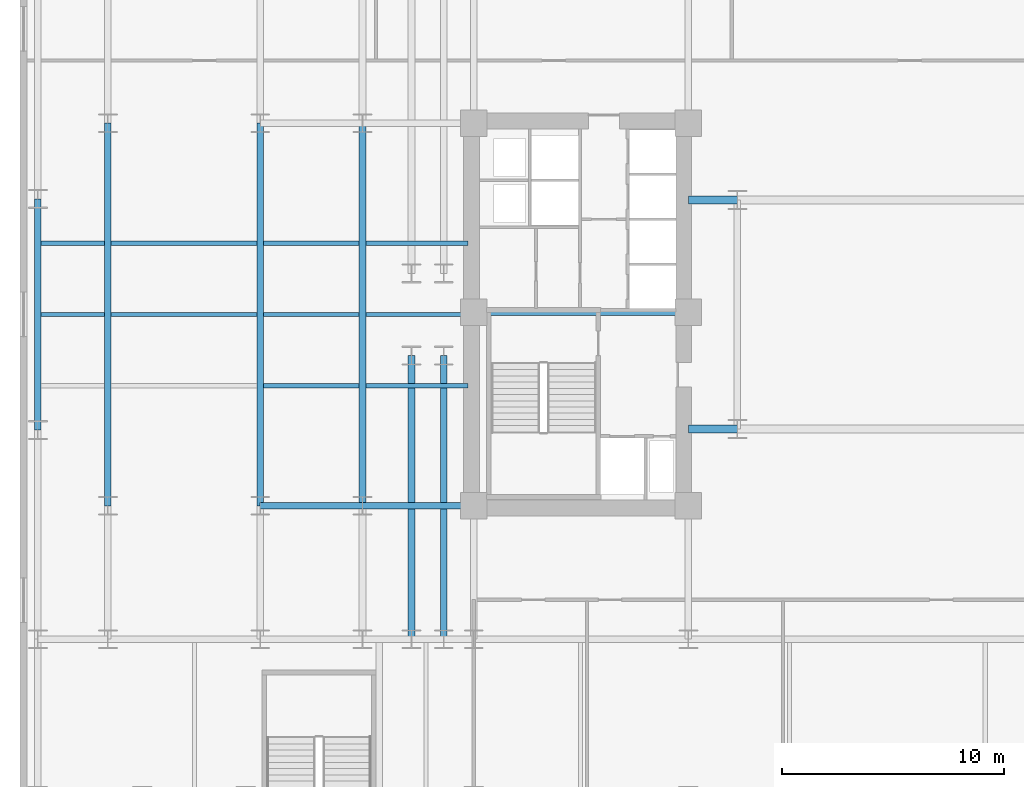
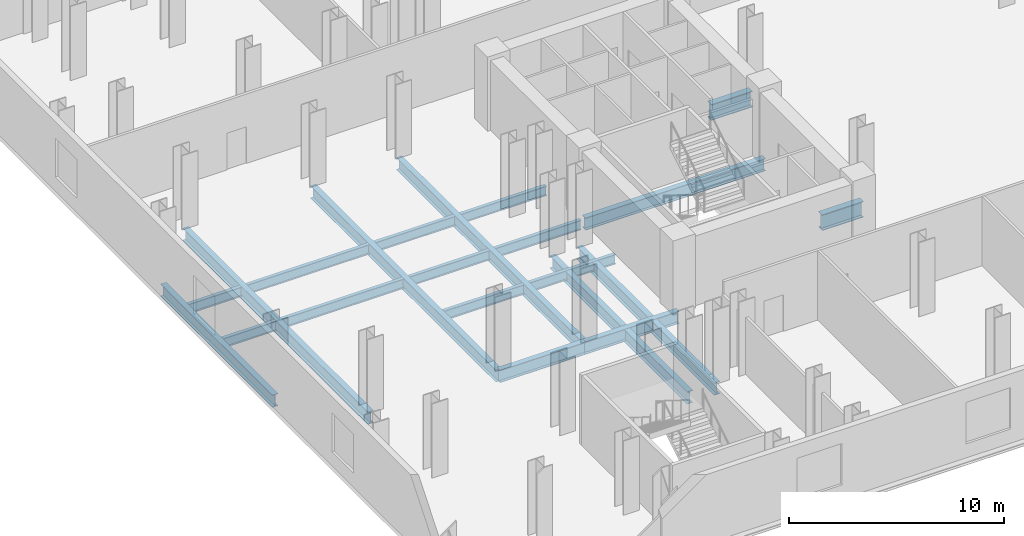
# One storey, part 2 of 13: 21 beams.
"""IFC4 building model written with IfcOpenShell, lengths in metres."""

import ifcopenshell
import ifcopenshell.guid

model = None  # the IFC model being written
_history = None  # IfcOwnerHistory: only IFC2X3 demands one
_inside = {}  # id of a spatial element -> (the spatial element, [elements in it])
_under = {}  # id of a project, library or spatial element -> (it, [spatial elements below it])
_declared = {}  # id of a project -> (the project, [libraries it declares])
_typed = {}  # id of a type object -> (the type object, [elements of that type])
_made_of = {}  # id of a material, layer set ... -> (it, [elements and type objects made of it])


def new_model(schema):
    """Start an empty IFC model of exactly this schema.

    Asked for "IFC4X3", IfcOpenShell would pick the latest addendum, in which some entities
    have other attributes; the version numbers below select the first issue.
    IFC2X3 requires an IfcOwnerHistory on every rooted entity: one is made here for all.
    """
    global model, _history
    if schema == "IFC4X3":
        model = ifcopenshell.file(schema_version=(4, 3, 0, 0))
    else:
        model = ifcopenshell.file(schema=schema)
    _inside.clear()
    _under.clear()
    _declared.clear()
    _typed.clear()
    _made_of.clear()
    _history = None
    if model.schema == "IFC2X3":
        org = make("IfcOrganization", Name="unknown")
        user = make(
            "IfcPersonAndOrganization",
            ThePerson=make("IfcPerson", FamilyName="unknown"),
            TheOrganization=org,
        )
        app = make(
            "IfcApplication",
            ApplicationDeveloper=org,
            Version="unknown",
            ApplicationFullName="unknown",
            ApplicationIdentifier="unknown",
        )
        _history = make(
            "IfcOwnerHistory",
            OwningUser=user,
            OwningApplication=app,
            ChangeAction="ADDED",
            CreationDate=0,
        )
    return model


def make(cls, **values):
    """One entity of the class cls with the attributes given. An attribute that is None is left unset."""
    return model.create_entity(
        cls, **{name: value for name, value in values.items() if value is not None}
    )


def rooted(cls, **values):
    """An entity with a GlobalId (a new one), such as an element, a storey or a relation."""
    return make(cls, GlobalId=ifcopenshell.guid.new(), OwnerHistory=_history, **values)


def si_unit(unit_type, name, prefix=None):
    """IfcSIUnit, for example si_unit("LENGTHUNIT", "METRE", prefix="MILLI")."""
    return make("IfcSIUnit", UnitType=unit_type, Prefix=prefix, Name=name)


def assignment(units):
    """IfcUnitAssignment: the units of a project."""
    return None if units is None else make("IfcUnitAssignment", Units=units)


def point(xyz):
    """IfcCartesianPoint."""
    return None if xyz is None else make("IfcCartesianPoint", Coordinates=xyz)


def direction(xyz):
    """IfcDirection."""
    return None if xyz is None else make("IfcDirection", DirectionRatios=xyz)


def frame(location, z_axis=None, x_axis=None):
    """IfcAxis2Placement3D, a coordinate frame: its origin and axes. An axis left out is left unset."""
    return make(
        "IfcAxis2Placement3D",
        Location=point(location),
        Axis=direction(z_axis),
        RefDirection=direction(x_axis),
    )


def frame_2d(location, x_axis=None):
    """IfcAxis2Placement2D, a coordinate frame in the plane: its origin and x axis."""
    return make(
        "IfcAxis2Placement2D", Location=point(location), RefDirection=direction(x_axis)
    )


def origin():
    """The frame at (0, 0, 0) with its axes left unset."""
    return frame((0.0, 0.0, 0.0))


def origin_2d():
    """The frame at (0, 0) in the plane with its x axis left unset."""
    return frame_2d((0.0, 0.0))


def place(relative_to, where):
    """IfcLocalPlacement: puts the frame where relative to a parent placement (None: the world)."""
    return make(
        "IfcLocalPlacement", PlacementRelTo=relative_to, RelativePlacement=where
    )


def context(
    kind, dimensions, precision=None, world=None, true_north=None, identifier=None
):
    """IfcGeometricRepresentationContext, for example the 3D "Model" context."""
    return make(
        "IfcGeometricRepresentationContext",
        ContextIdentifier=identifier,
        ContextType=kind,
        CoordinateSpaceDimension=dimensions,
        Precision=precision,
        WorldCoordinateSystem=world,
        TrueNorth=true_north,
    )


def subcontext(parent, identifier, kind, view, scale=None):
    """IfcGeometricRepresentationSubContext, for example "Body" below "Model"."""
    return make(
        "IfcGeometricRepresentationSubContext",
        ContextIdentifier=identifier,
        ContextType=kind,
        ParentContext=parent,
        TargetScale=scale,
        TargetView=view,
    )


def project(units=None, contexts=None):
    """IfcProject with its units and contexts."""
    return rooted(
        "IfcProject",
        Name="project",
        RepresentationContexts=contexts,
        UnitsInContext=assignment(units),
    )


def spatial(cls, under=None, at=None, **own):
    """A site, building, storey or space (cls), placed at a placement, below another one or the project."""
    s = rooted(cls, ObjectPlacement=at, **own)
    if under is not None:
        _under.setdefault(under.id(), (under, []))[1].append(s)
    return s


def profile(cls, at=None, kind="AREA", **sizes):
    """A parametric profile (cls). Its sizes go by their IFC names, for example OverallWidth=200.0."""
    return make(cls, ProfileType=kind, Position=at, **sizes)


def i_section(**sizes):
    """IfcIShapeProfileDef."""
    return profile("IfcIShapeProfileDef", **sizes)


def extrude(swept, where, along, depth):
    """IfcExtrudedAreaSolid: the profile swept, set in the frame where, extruded along a direction by depth."""
    return make(
        "IfcExtrudedAreaSolid",
        SweptArea=swept,
        Position=where,
        ExtrudedDirection=direction(along),
        Depth=depth,
    )


def shape(context_of_items, identifier, shape_type, items):
    """IfcShapeRepresentation: the items that make up one representation, for example the "Body"."""
    return make(
        "IfcShapeRepresentation",
        ContextOfItems=context_of_items,
        RepresentationIdentifier=identifier,
        RepresentationType=shape_type,
        Items=items,
    )


def material(Name=None, Category=None):
    """IfcMaterial."""
    return make("IfcMaterial", Name=Name, Category=Category)


def material_profile(
    of_material, cross_section, Name=None, Category=None, Priority=None
):
    """IfcMaterialProfile: a cross section and its material."""
    return make(
        "IfcMaterialProfile",
        Name=Name,
        Material=of_material,
        Profile=cross_section,
        Priority=Priority,
        Category=Category,
    )


def profile_set(profiles, Name=None, composite=None):
    """IfcMaterialProfileSet."""
    return make(
        "IfcMaterialProfileSet",
        Name=Name,
        MaterialProfiles=profiles,
        CompositeProfile=composite,
    )


def made_of(thing, what):
    """Note that an element or type object is made of a material, layer set ...; save() writes the relation."""
    if what is not None:
        _made_of.setdefault(what.id(), (what, []))[1].append(thing)
    return thing


def type_object(cls, material=None, **own):
    """A type object (cls), such as IfcWallType, which elements share."""
    return made_of(rooted(cls, **own), material)


def element(
    cls,
    number,
    at=None,
    inside=None,
    cuts=None,
    type_object=None,
    material=None,
    context=None,
    identifier="Body",
    shape_type=None,
    held_by="IfcProductDefinitionShape",
    body=None,
    shapes=None,
    **own,
):
    """One element of the class cls, such as IfcWall. Its Tag is "e" and its number.

    at: its placement. inside: the storey or other place that contains it. cuts: it is an
    opening in that element (IfcRelVoidsElement). A single representation is given by context,
    identifier, shape_type and body (its items); several are given by shapes. held_by: the class
    of the entity that holds the representations. save() writes the other relations.
    """
    e = rooted(cls, Tag="e%d" % number, ObjectPlacement=at, **own)
    if body is not None:
        shapes = [shape(context, identifier, shape_type, body)]
    if shapes is not None:
        e.Representation = make(held_by, Representations=shapes)
    if inside is not None:
        _inside.setdefault(inside.id(), (inside, []))[1].append(e)
    if cuts is not None:
        rooted(
            "IfcRelVoidsElement", RelatingBuildingElement=cuts, RelatedOpeningElement=e
        )
    if type_object is not None:
        _typed.setdefault(type_object.id(), (type_object, []))[1].append(e)
    return made_of(e, material)


def aggregate(whole, parts):
    """IfcRelAggregates: a whole, such as a stair, and the parts it consists of."""
    return rooted("IfcRelAggregates", RelatingObject=whole, RelatedObjects=parts)


def save(model, path):
    """Write the relations noted so far, then the file.

    IfcRelAggregates (storeys below a building ...), IfcRelContainedInSpatialStructure (elements
    in a storey), IfcRelDefinesByType, IfcRelAssociatesMaterial and IfcRelDeclares: one each for
    every whole, place, type object, material and project.
    """
    for whole, parts in _under.values():
        aggregate(whole, parts)
    for where, things in _inside.values():
        rooted(
            "IfcRelContainedInSpatialStructure",
            RelatedElements=things,
            RelatingStructure=where,
        )
    for kind, things in _typed.values():
        rooted("IfcRelDefinesByType", RelatedObjects=things, RelatingType=kind)
    for what, things in _made_of.values():
        rooted("IfcRelAssociatesMaterial", RelatedObjects=things, RelatingMaterial=what)
    for by, libraries in _declared.values():
        rooted("IfcRelDeclares", RelatingContext=by, RelatedDefinitions=libraries)
    model.write(path)


model = new_model("IFC4")

# Units and contexts
model_context = context("Model", 3, precision=1e-05, world=origin(), true_north=direction((0.0, 1.0)))
body_context = subcontext(model_context, "Body", "Model", "MODEL_VIEW")
ifc_project = project(units=[si_unit("LENGTHUNIT", "METRE"), si_unit("AREAUNIT", "SQUARE_METRE"), si_unit("VOLUMEUNIT", "CUBIC_METRE"), si_unit("PLANEANGLEUNIT", "RADIAN"), si_unit("MASSUNIT", "GRAM", prefix="KILO")], contexts=[model_context])

# Site, building, storey
site_placement = place(None, origin())
site = spatial("IfcSite", under=ifc_project, at=site_placement, CompositionType="ELEMENT")
building_placement = place(site_placement, origin())
building = spatial("IfcBuilding", under=site, at=building_placement, Name="Velakula Bourse", CompositionType="ELEMENT")
storey_placement = place(building_placement, frame((0.0, 0.0, 18.60009765625)))
storey = spatial("IfcBuildingStorey", under=building, at=storey_placement, Name="L04", CompositionType="ELEMENT", Elevation=18.60009765625)

# Beams
ifc_material = material(Name="Steel IS 2062 Grade 350 (E350)", Category="steel")
ifc_material_profile_1 = material_profile(ifc_material, i_section(OverallWidth=0.35009765625, OverallDepth=0.89990234375, WebThickness=0.02001953125, FlangeThickness=0.031982421875, at=origin_2d()), Name="Steel IS 2062 Grade 350 (E350)")
ifc_profile_set_1 = profile_set([ifc_material_profile_1], Name="Steel IS 2062 Grade 350 (E350)")
beam_type_1 = type_object("IfcBeamType", Name="BM-LNK-900", PredefinedType="BEAM", material=ifc_profile_set_1)
for number, where, z_axis, x_axis, name in (
    (1, (-8.949951171875, -5.14990234375, -0.7001953125), (1.0, 0.0, 0.0), (0.0, 1.0, 0.0), "L04 Primary Backbone Girder LNK-S1"),
    (2, (-8.949951171875, 5.14990234375, -0.7001953125), (1.0, 0.0, 0.0), (0.0, 1.0, 0.0), "L04 Primary Backbone Girder LNK-N1"),
):
    element("IfcBeam", number, at=place(storey_placement, frame(where, z_axis=z_axis, x_axis=x_axis)), inside=storey, type_object=beam_type_1, Name=name, PredefinedType="BEAM", context=body_context, shape_type="SweptSolid", body=[
        extrude(i_section(OverallWidth=0.35009765625, OverallDepth=0.89990234375, WebThickness=0.02001953125, FlangeThickness=0.031982421875, at=origin_2d()), origin(), (0.0, 0.0, 1.0), 2.199951171875),
    ])
ifc_material_profile_2 = material_profile(ifc_material, i_section(OverallWidth=0.300048828125, OverallDepth=0.699951171875, WebThickness=0.01611328125, FlangeThickness=0.02490234375, at=origin_2d()), Name="Steel IS 2062 Grade 350 (E350)")
ifc_profile_set_2 = profile_set([ifc_material_profile_2], Name="Steel IS 2062 Grade 350 (E350)")
beam_type_2 = type_object("IfcBeamType", Name="BM-POD-700", PredefinedType="BEAM", material=ifc_profile_set_2)
beam_1_placement = place(storey_placement, frame((-18.60009765625, 0.10009765625, -0.60009765625), z_axis=(1.0, 0.0, 0.0), x_axis=(0.0, 1.0, 0.0)))
element("IfcBeam", 3, at=beam_1_placement, inside=storey, type_object=beam_type_2, Name="L04 Primary Backbone Girder CRW-M", PredefinedType="BEAM", context=body_context, shape_type="SweptSolid", body=[
    extrude(i_section(OverallWidth=0.300048828125, OverallDepth=0.699951171875, WebThickness=0.01611328125, FlangeThickness=0.02490234375, at=origin_2d()), origin(), (0.0, 0.0, 1.0), 9.650146484375),
])
for number, where, z_axis, x_axis, name in (
    (4, (-21.39990234375, -14.60009765625, -0.60009765625), (0.0, 1.0, 0.0), (-1.0, 0.0, 0.0), "L04 Fulcrum Grid Girder FLC-PSW1"),
    (5, (-19.949951171875, -14.60009765625, -0.60009765625), (0.0, 1.0, 0.0), (-1.0, 0.0, 0.0), "L04 Fulcrum Grid Girder FLC-PSW2"),
):
    element("IfcBeam", number, at=place(storey_placement, frame(where, z_axis=z_axis, x_axis=x_axis)), inside=storey, type_object=beam_type_2, Name=name, PredefinedType="BEAM", context=body_context, shape_type="SweptSolid", body=[
        extrude(i_section(OverallWidth=0.300048828125, OverallDepth=0.699951171875, WebThickness=0.01611328125, FlangeThickness=0.02490234375, at=origin_2d()), origin(), (0.0, 0.0, 1.0), 12.75),
    ])
beam_2_placement = place(storey_placement, frame((-23.60009765625, -8.60009765625, -0.60009765625), z_axis=(1.0, 0.0, 0.0), x_axis=(0.0, 1.0, 0.0)))
element("IfcBeam", 6, at=beam_2_placement, inside=storey, type_object=beam_type_2, Name="L04 Fulcrum Grid Girder MWG-WS2", PredefinedType="BEAM", context=body_context, shape_type="SweptSolid", body=[
    extrude(i_section(OverallWidth=0.300048828125, OverallDepth=0.699951171875, WebThickness=0.01611328125, FlangeThickness=0.02490234375, at=origin_2d()), origin(), (0.0, 0.0, 1.0), 5.0),
])
beam_3_placement = place(storey_placement, frame((-23.60009765625, -8.60009765625, -0.60009765625), z_axis=(0.0, 1.0, 0.0), x_axis=(-1.0, 0.0, 0.0)))
element("IfcBeam", 7, at=beam_3_placement, inside=storey, type_object=beam_type_2, Name="L04 Fulcrum Grid Girder MWG-WNS2", PredefinedType="BEAM", context=body_context, shape_type="SweptSolid", body=[
    extrude(i_section(OverallWidth=0.300048828125, OverallDepth=0.699951171875, WebThickness=0.01611328125, FlangeThickness=0.02490234375, at=origin_2d()), origin(), (0.0, 0.0, 1.0), 17.2001953125),
])
beam_4_placement = place(storey_placement, frame((-28.199951171875, -8.60009765625, -0.60009765625), z_axis=(1.0, 0.0, 0.0), x_axis=(0.0, 1.0, 0.0)))
element("IfcBeam", 8, at=beam_4_placement, inside=storey, type_object=beam_type_2, Name="L04 Fulcrum Grid Girder WNG-WS2", PredefinedType="BEAM", context=body_context, shape_type="SweptSolid", body=[
    extrude(i_section(OverallWidth=0.300048828125, OverallDepth=0.699951171875, WebThickness=0.01611328125, FlangeThickness=0.02490234375, at=origin_2d()), origin(), (0.0, 0.0, 1.0), 4.599853515625),
])
beam_5_placement = place(storey_placement, frame((-28.199951171875, -8.60009765625, -0.60009765625), z_axis=(0.0, 1.0, 0.0), x_axis=(-1.0, 0.0, 0.0)))
element("IfcBeam", 9, at=beam_5_placement, inside=storey, type_object=beam_type_2, Name="L04 Fulcrum Grid Girder WNG-WNS2", PredefinedType="BEAM", context=body_context, shape_type="SweptSolid", body=[
    extrude(i_section(OverallWidth=0.300048828125, OverallDepth=0.699951171875, WebThickness=0.01611328125, FlangeThickness=0.02490234375, at=origin_2d()), origin(), (0.0, 0.0, 1.0), 17.2001953125),
])
beam_6_placement = place(storey_placement, frame((-38.199951171875, -5.199951171875, -0.60009765625), z_axis=(0.0, 1.0, 0.0), x_axis=(-1.0, 0.0, 0.0)))
element("IfcBeam", 10, at=beam_6_placement, inside=storey, type_object=beam_type_2, Name="L04 Podium N-S Girder 68", PredefinedType="BEAM", context=body_context, shape_type="SweptSolid", body=[
    extrude(i_section(OverallWidth=0.300048828125, OverallDepth=0.699951171875, WebThickness=0.01611328125, FlangeThickness=0.02490234375, at=origin_2d()), origin(), (0.0, 0.0, 1.0), 10.39990234375),
])
beam_7_placement = place(storey_placement, frame((-35.050048828125, -8.60009765625, -0.60009765625), z_axis=(0.0, 1.0, 0.0), x_axis=(-1.0, 0.0, 0.0)))
element("IfcBeam", 11, at=beam_7_placement, inside=storey, type_object=beam_type_2, Name="L04 Podium N-S Girder 73", PredefinedType="BEAM", context=body_context, shape_type="SweptSolid", body=[
    extrude(i_section(OverallWidth=0.300048828125, OverallDepth=0.699951171875, WebThickness=0.01611328125, FlangeThickness=0.02490234375, at=origin_2d()), origin(), (0.0, 0.0, 1.0), 17.2001953125),
])
ifc_material_profile_3 = material_profile(ifc_material, i_section(OverallWidth=0.18994140625, OverallDepth=0.550048828125, WebThickness=0.01123046875, FlangeThickness=0.019287109375, at=origin_2d()), Name="Steel IS 2062 Grade 350 (E350)")
ifc_profile_set_3 = profile_set([ifc_material_profile_3], Name="Steel IS 2062 Grade 350 (E350)")
beam_type_3 = type_object("IfcBeamType", Name="JST-POD-550", PredefinedType="JOIST", material=ifc_profile_set_3)
beam_8_placement = place(storey_placement, frame((-28.050048828125, -3.199951171875, -0.525146484375), z_axis=(1.0, 0.0, 0.0), x_axis=(0.0, 1.0, 0.0)))
element("IfcBeam", 12, at=beam_8_placement, inside=storey, type_object=beam_type_3, Name="L04 Station Wing Floor Joist 35", PredefinedType="JOIST", context=body_context, shape_type="SweptSolid", body=[
    extrude(i_section(OverallWidth=0.18994140625, OverallDepth=0.550048828125, WebThickness=0.01123046875, FlangeThickness=0.019287109375, at=origin_2d()), origin(), (0.0, 0.0, 1.0), 4.300048828125),
])
beam_9_placement = place(storey_placement, frame((-23.449951171875, -3.199951171875, -0.525146484375), z_axis=(1.0, 0.0, 0.0), x_axis=(0.0, 1.0, 0.0)))
element("IfcBeam", 13, at=beam_9_placement, inside=storey, type_object=beam_type_3, Name="L04 Station Wing Floor Joist 36", PredefinedType="JOIST", context=body_context, shape_type="SweptSolid", body=[
    extrude(i_section(OverallWidth=0.18994140625, OverallDepth=0.550048828125, WebThickness=0.01123046875, FlangeThickness=0.019287109375, at=origin_2d()), origin(), (0.0, 0.0, 1.0), 4.599853515625),
])
beam_10_placement = place(storey_placement, frame((-38.050048828125, 0.0, -0.525146484375), z_axis=(1.0, 0.0, 0.0), x_axis=(0.0, 1.0, 0.0)))
element("IfcBeam", 14, at=beam_10_placement, inside=storey, type_object=beam_type_3, Name="L04 Station Wing Floor Joist 41", PredefinedType="JOIST", context=body_context, shape_type="SweptSolid", body=[
    extrude(i_section(OverallWidth=0.18994140625, OverallDepth=0.550048828125, WebThickness=0.01123046875, FlangeThickness=0.019287109375, at=origin_2d()), origin(), (0.0, 0.0, 1.0), 2.85009765625),
])
beam_11_placement = place(storey_placement, frame((-34.89990234375, 0.0, -0.525146484375), z_axis=(1.0, 0.0, 0.0), x_axis=(0.0, 1.0, 0.0)))
element("IfcBeam", 15, at=beam_11_placement, inside=storey, type_object=beam_type_3, Name="L04 Station Wing Floor Joist 42", PredefinedType="JOIST", context=body_context, shape_type="SweptSolid", body=[
    extrude(i_section(OverallWidth=0.18994140625, OverallDepth=0.550048828125, WebThickness=0.01123046875, FlangeThickness=0.019287109375, at=origin_2d()), origin(), (0.0, 0.0, 1.0), 6.5498046875),
])
beam_12_placement = place(storey_placement, frame((-28.050048828125, 0.0, -0.525146484375), z_axis=(1.0, 0.0, 0.0), x_axis=(0.0, 1.0, 0.0)))
element("IfcBeam", 16, at=beam_12_placement, inside=storey, type_object=beam_type_3, Name="L04 Station Wing Floor Joist 43", PredefinedType="JOIST", context=body_context, shape_type="SweptSolid", body=[
    extrude(i_section(OverallWidth=0.18994140625, OverallDepth=0.550048828125, WebThickness=0.01123046875, FlangeThickness=0.019287109375, at=origin_2d()), origin(), (0.0, 0.0, 1.0), 4.300048828125),
])
beam_13_placement = place(storey_placement, frame((-23.449951171875, 0.0, -0.525146484375), z_axis=(1.0, 0.0, 0.0), x_axis=(0.0, 1.0, 0.0)))
element("IfcBeam", 17, at=beam_13_placement, inside=storey, type_object=beam_type_3, Name="L04 Station Wing Floor Joist 44", PredefinedType="JOIST", context=body_context, shape_type="SweptSolid", body=[
    extrude(i_section(OverallWidth=0.18994140625, OverallDepth=0.550048828125, WebThickness=0.01123046875, FlangeThickness=0.019287109375, at=origin_2d()), origin(), (0.0, 0.0, 1.0), 4.599853515625),
])
beam_14_placement = place(storey_placement, frame((-38.050048828125, 3.199951171875, -0.525146484375), z_axis=(1.0, 0.0, 0.0), x_axis=(0.0, 1.0, 0.0)))
element("IfcBeam", 18, at=beam_14_placement, inside=storey, type_object=beam_type_3, Name="L04 Station Wing Floor Joist 49", PredefinedType="JOIST", context=body_context, shape_type="SweptSolid", body=[
    extrude(i_section(OverallWidth=0.18994140625, OverallDepth=0.550048828125, WebThickness=0.01123046875, FlangeThickness=0.019287109375, at=origin_2d()), origin(), (0.0, 0.0, 1.0), 2.85009765625),
])
beam_15_placement = place(storey_placement, frame((-34.89990234375, 3.199951171875, -0.525146484375), z_axis=(1.0, 0.0, 0.0), x_axis=(0.0, 1.0, 0.0)))
element("IfcBeam", 19, at=beam_15_placement, inside=storey, type_object=beam_type_3, Name="L04 Station Wing Floor Joist 50", PredefinedType="JOIST", context=body_context, shape_type="SweptSolid", body=[
    extrude(i_section(OverallWidth=0.18994140625, OverallDepth=0.550048828125, WebThickness=0.01123046875, FlangeThickness=0.019287109375, at=origin_2d()), origin(), (0.0, 0.0, 1.0), 6.5498046875),
])
beam_16_placement = place(storey_placement, frame((-28.050048828125, 3.199951171875, -0.525146484375), z_axis=(1.0, 0.0, 0.0), x_axis=(0.0, 1.0, 0.0)))
element("IfcBeam", 20, at=beam_16_placement, inside=storey, type_object=beam_type_3, Name="L04 Station Wing Floor Joist 51", PredefinedType="JOIST", context=body_context, shape_type="SweptSolid", body=[
    extrude(i_section(OverallWidth=0.18994140625, OverallDepth=0.550048828125, WebThickness=0.01123046875, FlangeThickness=0.019287109375, at=origin_2d()), origin(), (0.0, 0.0, 1.0), 4.300048828125),
])
beam_17_placement = place(storey_placement, frame((-23.449951171875, 3.199951171875, -0.525146484375), z_axis=(1.0, 0.0, 0.0), x_axis=(0.0, 1.0, 0.0)))
element("IfcBeam", 21, at=beam_17_placement, inside=storey, type_object=beam_type_3, Name="L04 Station Wing Floor Joist 52", PredefinedType="JOIST", context=body_context, shape_type="SweptSolid", body=[
    extrude(i_section(OverallWidth=0.18994140625, OverallDepth=0.550048828125, WebThickness=0.01123046875, FlangeThickness=0.019287109375, at=origin_2d()), origin(), (0.0, 0.0, 1.0), 4.599853515625),
])

save(model, "model.ifc")
